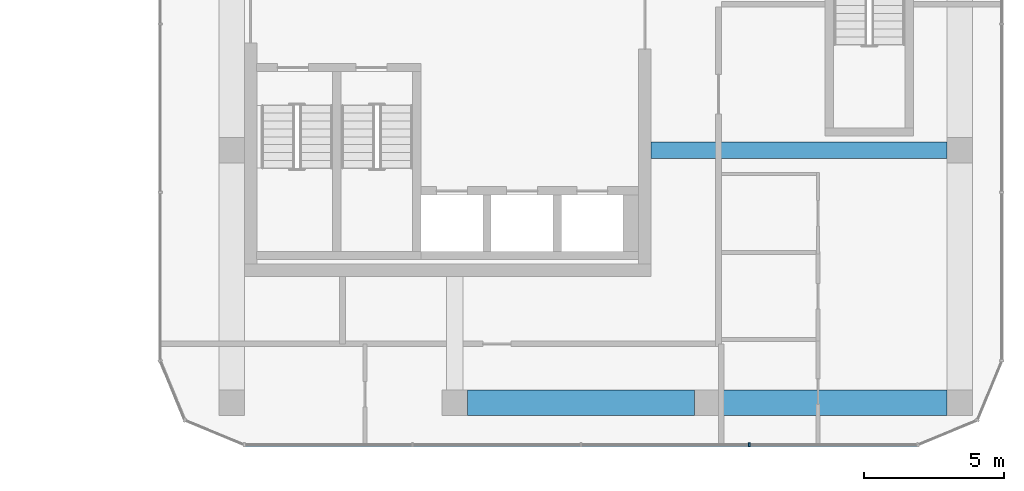
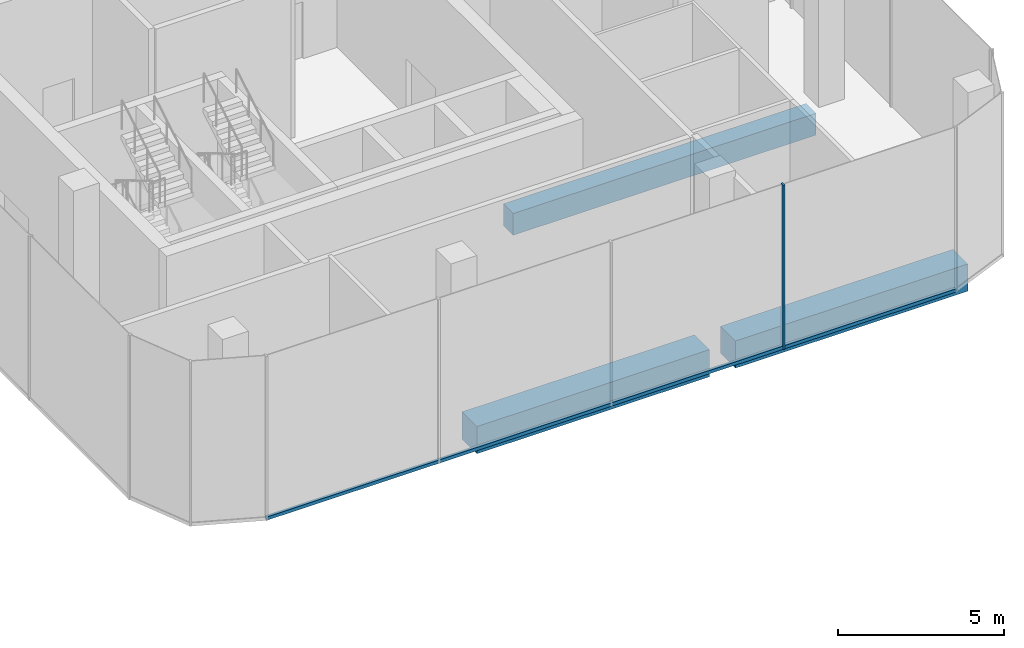
# One storey, part 9 of 24: 3 beams, 2 members, 1 element without a shape of its own.
"""IFC4 building model written with IfcOpenShell, lengths in metres."""

from ifc_helpers import new_model, si_unit, direction, frame, origin, origin_2d, place, context, subcontext, project, spatial, rectangle, extrude, material, layer, layer_set, material_profile, profile_set, type_object, element, aggregate, save


model = new_model("IFC4")

# Units and contexts
model_context = context("Model", 3, precision=1e-05, world=origin(), true_north=direction((0.0, 1.0)))
body_context = subcontext(model_context, "Body", "Model", "MODEL_VIEW")
ifc_project = project(units=[si_unit("LENGTHUNIT", "METRE"), si_unit("AREAUNIT", "SQUARE_METRE"), si_unit("VOLUMEUNIT", "CUBIC_METRE"), si_unit("PLANEANGLEUNIT", "RADIAN"), si_unit("MASSUNIT", "GRAM", prefix="KILO")], contexts=[model_context])

# Site, building, storey
site_placement = place(None, origin())
site = spatial("IfcSite", under=ifc_project, at=site_placement, CompositionType="ELEMENT")
building_placement = place(site_placement, origin())
building = spatial("IfcBuilding", under=site, at=building_placement, Name="Plateau Cross Towers", CompositionType="ELEMENT")
storey_placement = place(building_placement, frame((0.0, 0.0, 72.300048828125)))
storey = spatial("IfcBuildingStorey", under=building, at=storey_placement, Name="L18", CompositionType="ELEMENT", Elevation=72.300048828125)

# Beams
ifc_material_1 = material(Name="Concrete C60/75", Category="concrete")
ifc_material_profile_1 = material_profile(ifc_material_1, rectangle(XDim=0.89990234375, YDim=1.0, at=origin_2d()), Name="RC 900x1000")
ifc_profile_set_1 = profile_set([ifc_material_profile_1], Name="Concrete C60/75")
beam_type_1 = type_object("IfcBeamType", Name="Belt beam RC 900x1000", PredefinedType="BEAM", material=ifc_profile_set_1)
for number, where, z_axis, x_axis, name in (
    (1, (82.949951171875, -4.5, -0.800048828125), (1.0, 0.0, 0.0), (0.0, 1.0, 0.0), "B-RB01@L18"),
    (2, (91.949951171875, -4.5, -0.800048828125), (1.0, 0.0, 0.0), (0.0, 1.0, 0.0), "B-RB02@L18"),
):
    element("IfcBeam", number, at=place(storey_placement, frame(where, z_axis=z_axis, x_axis=x_axis)), inside=storey, type_object=beam_type_1, Name=name, PredefinedType="BEAM", context=body_context, shape_type="SweptSolid", body=[
        extrude(rectangle(XDim=0.89990234375, YDim=1.0, at=origin_2d()), origin(), (0.0, 0.0, 1.0), 8.10009765625),
    ])
ifc_material_profile_2 = material_profile(ifc_material_1, rectangle(XDim=0.60009765625, YDim=0.800048828125, at=origin_2d()), Name="RC 600x800")
ifc_profile_set_2 = profile_set([ifc_material_profile_2], Name="Concrete C60/75")
beam_type_2 = type_object("IfcBeamType", Name="Core beam RC 600x800", PredefinedType="BEAM", material=ifc_profile_set_2)
beam_placement = place(storey_placement, frame((89.5, 4.5, -0.699951171875), z_axis=(1.0, 0.0, 0.0), x_axis=(0.0, 1.0, 0.0)))
element("IfcBeam", 3, at=beam_placement, inside=storey, type_object=beam_type_2, Name="B-CB02@L18", PredefinedType="BEAM", context=body_context, shape_type="SweptSolid", body=[
    extrude(rectangle(XDim=0.60009765625, YDim=0.800048828125, at=origin_2d()), origin(), (0.0, 0.0, 1.0), 10.550048828125),
])

# Curtain wall, members
ifc_material_2 = material(Name="Dark low-iron glass", Category="glass")
ifc_layer = layer(ifc_material_2, 0.239990234375)
ifc_layer_set = layer_set([ifc_layer], Name="Dark low-iron glass")
curtain_wall_type = type_object("IfcCurtainWallType", Name="Curtain wall office unitised CW-F", PredefinedType="NOTDEFINED", material=ifc_layer_set)
curtain_wall_placement = place(storey_placement, origin())
curtain_wall = element("IfcCurtainWall", 4, at=curtain_wall_placement, inside=storey, type_object=curtain_wall_type, Name="ENV/B/L18/B750_-60", PredefinedType="NOTDEFINED")
ifc_material_3 = material(Name="Black anodised aluminium", Category="aluminium")
ifc_material_profile_3 = material_profile(ifc_material_3, rectangle(XDim=0.06005859375, YDim=0.139892578125, at=origin_2d()), Name="MULLION 60x140")
ifc_profile_set_3 = profile_set([ifc_material_profile_3], Name="Black anodised aluminium")
member_type_1 = type_object("IfcMemberType", Name="Mullion 60x140 office unitised", PredefinedType="MULLION", material=ifc_profile_set_3)
member_1_placement = place(storey_placement, frame((93.0, -6.0, -0.300048828125), z_axis=(0.0, 0.0, 1.0), x_axis=(1.0, 0.0, 0.0)))
member_1 = element("IfcMember", 5, at=member_1_placement, type_object=member_type_1, Name="CW-F mullion 4", PredefinedType="MULLION", context=body_context, shape_type="SweptSolid", body=[
    extrude(rectangle(XDim=0.06005859375, YDim=0.139892578125, at=origin_2d()), origin(), (0.0, 0.0, 1.0), 6.050048828125),
])
ifc_material_profile_4 = material_profile(ifc_material_3, rectangle(XDim=0.10009765625, YDim=0.1201171875, at=origin_2d()), Name="TRANSOM 100x120")
ifc_profile_set_4 = profile_set([ifc_material_profile_4], Name="Black anodised aluminium")
member_type_2 = type_object("IfcMemberType", Name="Transom 100x120 office unitised", PredefinedType="USERDEFINED", material=ifc_profile_set_4)
member_2_placement = place(storey_placement, frame((75.0, -6.0, -0.239990234375), z_axis=(1.0, 0.0, 0.0), x_axis=(0.0, 1.0, 0.0)))
member_2 = element("IfcMember", 6, at=member_2_placement, type_object=member_type_2, Name="CW-F transom", ObjectType="TRANSOM", PredefinedType="USERDEFINED", context=body_context, shape_type="SweptSolid", body=[
    extrude(rectangle(XDim=0.10009765625, YDim=0.1201171875, at=origin_2d()), origin(), (0.0, 0.0, 1.0), 24.0),
])
aggregate(curtain_wall, [member_1, member_2])

save(model, "model.ifc")
